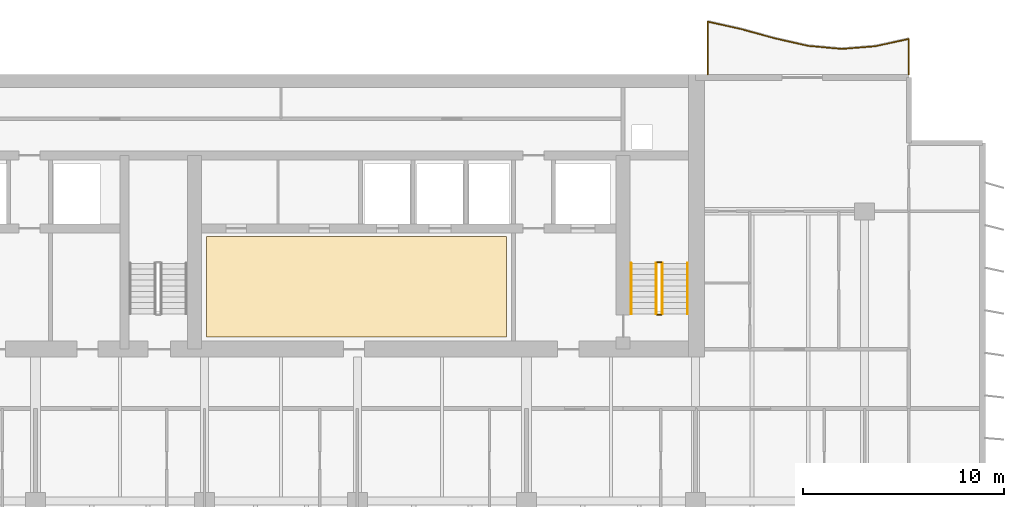
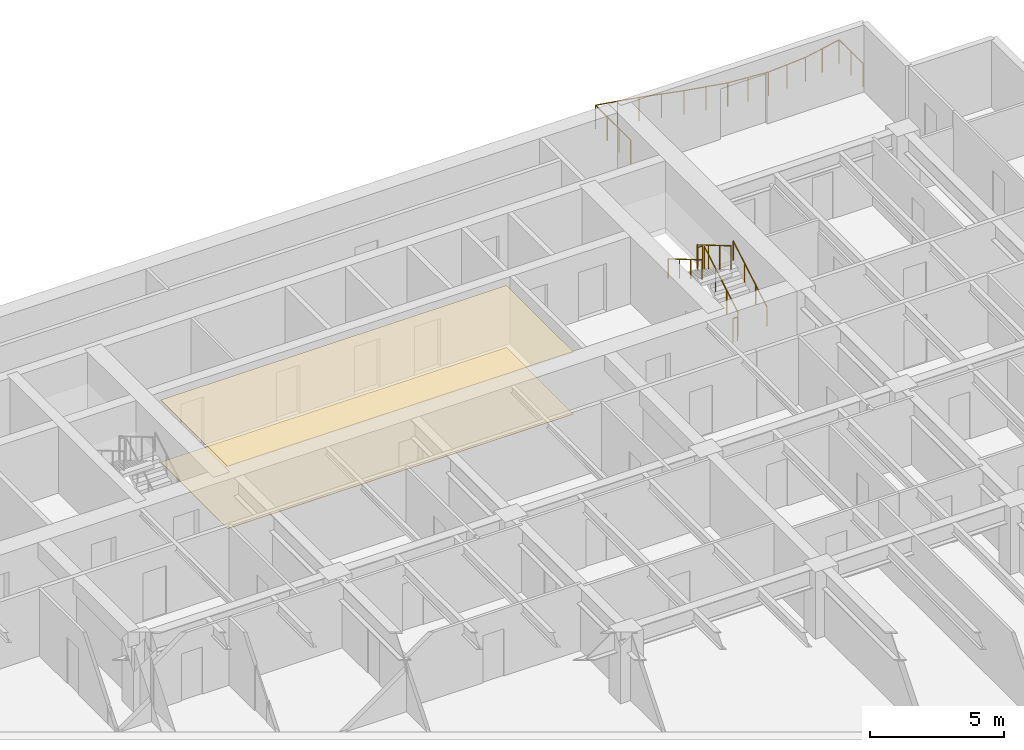
# One storey, part 14 of 15: 7 railings, 2 coverings.
"""IFC4 building model written with IfcOpenShell, lengths in metres."""

from ifc_helpers import new_model, si_unit, direction, frame, origin, origin_2d, place, context, subcontext, project, spatial, polyline, circle, outline, extrude, material, layer, layer_set, type_object, element, save


model = new_model("IFC4")

# Units and contexts
model_context = context("Model", 3, precision=1e-05, world=origin(), true_north=direction((0.0, 1.0)))
body_context = subcontext(model_context, "Body", "Model", "MODEL_VIEW")
ifc_project = project(units=[si_unit("LENGTHUNIT", "METRE"), si_unit("AREAUNIT", "SQUARE_METRE"), si_unit("VOLUMEUNIT", "CUBIC_METRE"), si_unit("PLANEANGLEUNIT", "RADIAN"), si_unit("MASSUNIT", "GRAM", prefix="KILO")], contexts=[model_context])

# Site, building, storey
site_placement = place(None, origin())
site = spatial("IfcSite", under=ifc_project, at=site_placement, CompositionType="ELEMENT")
building_placement = place(site_placement, origin())
building = spatial("IfcBuilding", under=site, at=building_placement, Name="Caelmar Bay Residences", CompositionType="ELEMENT")
storey_placement = place(building_placement, frame((0.0, 0.0, 132.300048828125)))
storey = spatial("IfcBuildingStorey", under=building, at=storey_placement, Name="L36", CompositionType="ELEMENT", Elevation=132.300048828125)

# Coverings
ifc_material_1 = material(Name="Perforated acoustic gypsum-mineral ceiling tile 20 mm")
ifc_layer_1 = layer(ifc_material_1, 0.02001953125)
ifc_layer_set_1 = layer_set([ifc_layer_1], Name="Perforated acoustic gypsum-mineral ceiling tile 20 mm")
covering_type_1 = type_object("IfcCoveringType", Name="COV-CEIL-20", PredefinedType="CEILING", material=ifc_layer_set_1)
covering_1_placement = place(storey_placement, frame((0.0, 0.0, 2.829833984375)))
element("IfcCovering", 1, at=covering_1_placement, inside=storey, type_object=covering_type_1, Name="L36 Lift Lobby Acoustic Ceiling", PredefinedType="CEILING", context=body_context, shape_type="SweptSolid", body=[
    extrude(outline(polyline([(35.199951171875, 37.550048828125), (50.10009765625, 37.550048828125), (50.10009765625, 42.550048828125), (35.199951171875, 42.550048828125), (35.199951171875, 37.550048828125)])), origin(), (0.0, 0.0, 1.0), 0.02001953125),
])
ifc_material_2 = material(Name="Honed terrazzo and engineered white-oak flooring 20 mm")
ifc_layer_2 = layer(ifc_material_2, 0.02001953125)
ifc_layer_set_2 = layer_set([ifc_layer_2], Name="Honed terrazzo and engineered white-oak flooring 20 mm")
covering_type_2 = type_object("IfcCoveringType", Name="COV-FLR-20", PredefinedType="FLOORING", material=ifc_layer_set_2)
covering_2_placement = place(storey_placement, origin())
element("IfcCovering", 2, at=covering_2_placement, inside=storey, type_object=covering_type_2, Name="L36 Lift Lobby Terrazzo Flooring", PredefinedType="FLOORING", context=body_context, shape_type="SweptSolid", body=[
    extrude(outline(polyline([(35.199951171875, 37.550048828125), (50.10009765625, 37.550048828125), (50.10009765625, 42.550048828125), (35.199951171875, 42.550048828125), (35.199951171875, 37.550048828125)])), origin(), (0.0, 0.0, 1.0), 0.02001953125),
])

# Railings
ifc_material_3 = material(Name="Anodised bronze handrail with laminated hurricane glass infill", Category="glass")
railing_type_1 = type_object("IfcRailingType", Name="RL-BAL-1100", PredefinedType="BALUSTRADE", material=ifc_material_3)
railing_1_placement = place(storey_placement, frame((70.10009765625, 50.60009765625, 0.0)))
element("IfcRailing", 3, at=railing_1_placement, inside=storey, type_object=railing_type_1, Name="L36 north_east Balcony Balustrade", PredefinedType="BALUSTRADE", context=body_context, shape_type="SweptSolid", body=[
    extrude(circle(Radius=0.02392578125, at=origin_2d()), frame((0.0, 0.0, 1.076171875), z_axis=(0.0, 1.0, 0.0), x_axis=(-1.0, 0.0, 0.0)), (0.0, 0.0, 1.0), 1.766845703125),
    extrude(circle(Radius=0.02392578125, at=origin_2d()), frame((0.0, 1.766845703125, 1.076171875), z_axis=(-0.976912151589, -0.213641400663, 0.0), x_axis=(0.213641400663, -0.976912151589, 0.0)), (0.0, 0.0, 1.0), 1.7060546875),
    extrude(circle(Radius=0.02392578125, at=origin_2d()), frame((-1.666748046875, 1.40234375, 1.076171875), z_axis=(-0.996863381494, -0.079141636556, 0.0), x_axis=(0.079141636556, -0.996863381494, 0.0)), (0.0, 0.0, 1.0), 1.671875),
    extrude(circle(Radius=0.02392578125, at=origin_2d()), frame((-3.33349609375, 1.27001953125, 1.076171875), z_axis=(-0.995978866586, 0.089588488732, 0.0), x_axis=(-0.089588488732, -0.995978866586, 0.0)), (0.0, 0.0, 1.0), 1.67333984375),
    extrude(circle(Radius=0.02392578125, at=origin_2d()), frame((-5.0, 1.419921875, 1.076171875), z_axis=(-0.975550811442, 0.219774007324, 0.0), x_axis=(-0.219774007324, -0.975550811442, 0.0)), (0.0, 0.0, 1.0), 1.70849609375),
    extrude(circle(Radius=0.02392578125, at=origin_2d()), frame((-6.666748046875, 1.79541015625, 1.076171875), z_axis=(-0.964003851304, 0.265888274792, 0.0), x_axis=(-0.265888274792, -0.964003851304, 0.0)), (0.0, 0.0, 1.0), 1.72900390625),
    extrude(circle(Radius=0.02392578125, at=origin_2d()), frame((-8.33349609375, 2.255126953125, 1.076171875), z_axis=(-0.976032048917, 0.217626835402, 0.0), x_axis=(-0.217626835402, -0.976032048917, 0.0)), (0.0, 0.0, 1.0), 1.70751953125),
    extrude(circle(Radius=0.02392578125, at=origin_2d()), frame((-10.0, 2.626708984375, 1.076171875), z_axis=(0.0, -1.0, 0.0), x_axis=(1.0, 0.0, 0.0)), (0.0, 0.0, 1.0), 2.626708984375),
    extrude(circle(Radius=0.02099609375, at=origin_2d()), origin(), (0.0, 0.0, 1.0), 1.052001953125),
    extrude(circle(Radius=0.02099609375, at=origin_2d()), frame((0.0, 0.88330078125, 0.0)), (0.0, 0.0, 1.0), 1.052001953125),
    extrude(circle(Radius=0.02099609375, at=origin_2d()), frame((0.0, 1.766845703125, 0.0)), (0.0, 0.0, 1.0), 1.052001953125),
    extrude(circle(Radius=0.02099609375, at=origin_2d()), frame((-0.83349609375, 1.58447265625, 0.0)), (0.0, 0.0, 1.0), 1.052001953125),
    extrude(circle(Radius=0.02099609375, at=origin_2d()), frame((-1.666748046875, 1.40234375, 0.0)), (0.0, 0.0, 1.0), 1.052001953125),
    extrude(circle(Radius=0.02099609375, at=origin_2d()), frame((-2.5, 1.336181640625, 0.0)), (0.0, 0.0, 1.0), 1.052001953125),
    extrude(circle(Radius=0.02099609375, at=origin_2d()), frame((-3.33349609375, 1.27001953125, 0.0)), (0.0, 0.0, 1.0), 1.052001953125),
    extrude(circle(Radius=0.02099609375, at=origin_2d()), frame((-4.166748046875, 1.344970703125, 0.0)), (0.0, 0.0, 1.0), 1.052001953125),
    extrude(circle(Radius=0.02099609375, at=origin_2d()), frame((-5.0, 1.419921875, 0.0)), (0.0, 0.0, 1.0), 1.052001953125),
    extrude(circle(Radius=0.02099609375, at=origin_2d()), frame((-5.83349609375, 1.607666015625, 0.0)), (0.0, 0.0, 1.0), 1.052001953125),
    extrude(circle(Radius=0.02099609375, at=origin_2d()), frame((-6.666748046875, 1.79541015625, 0.0)), (0.0, 0.0, 1.0), 1.052001953125),
    extrude(circle(Radius=0.02099609375, at=origin_2d()), frame((-7.5, 2.025390625, 0.0)), (0.0, 0.0, 1.0), 1.052001953125),
    extrude(circle(Radius=0.02099609375, at=origin_2d()), frame((-8.33349609375, 2.255126953125, 0.0)), (0.0, 0.0, 1.0), 1.052001953125),
    extrude(circle(Radius=0.02099609375, at=origin_2d()), frame((-9.166748046875, 2.44091796875, 0.0)), (0.0, 0.0, 1.0), 1.052001953125),
    extrude(circle(Radius=0.02099609375, at=origin_2d()), frame((-10.0, 2.626708984375, 0.0)), (0.0, 0.0, 1.0), 1.052001953125),
    extrude(circle(Radius=0.02099609375, at=origin_2d()), frame((-10.0, 1.751220703125, 0.0)), (0.0, 0.0, 1.0), 1.052001953125),
    extrude(circle(Radius=0.02099609375, at=origin_2d()), frame((-10.0, 0.87548828125, 0.0)), (0.0, 0.0, 1.0), 1.052001953125),
    extrude(circle(Radius=0.02099609375, at=origin_2d()), frame((-10.0, 0.0, 0.0)), (0.0, 0.0, 1.0), 1.052001953125),
])
ifc_material_4 = material(Name="Painted galvanized steel stair guard 1100 mm", Category="steel")
railing_type_2 = type_object("IfcRailingType", Name="RL-GRD-1100", PredefinedType="GUARDRAIL", material=ifc_material_4)
railing_2_placement = place(storey_placement, frame((57.85009765625, 38.699951171875, 0.1650390625)))
element("IfcRailing", 4, at=railing_2_placement, inside=storey, type_object=railing_type_2, Name="L36 ST2 stair guard 1", PredefinedType="GUARDRAIL", context=body_context, shape_type="SweptSolid", body=[
    extrude(circle(Radius=0.02392578125, at=origin_2d()), frame((0.0, 0.0, 1.076171875), z_axis=(0.0, 0.861560626758, 0.507654692109), x_axis=(-1.0, 0.0, 0.0)), (0.0, 0.0, 1.0), 2.925048828125),
    extrude(circle(Radius=0.02099609375, at=origin_2d()), origin(), (0.0, 0.0, 1.0), 1.052001953125),
    extrude(circle(Radius=0.02099609375, at=origin_2d()), frame((0.0, 0.840087890625, 0.494873046875)), (0.0, 0.0, 1.0), 1.052001953125),
    extrude(circle(Radius=0.02099609375, at=origin_2d()), frame((0.0, 1.679931640625, 0.989990234375)), (0.0, 0.0, 1.0), 1.052001953125),
    extrude(circle(Radius=0.02099609375, at=origin_2d()), frame((0.0, 2.52001953125, 1.48486328125)), (0.0, 0.0, 1.0), 1.052001953125),
])
railing_3_placement = place(storey_placement, frame((57.800048828125, 41.27001953125, 1.64990234375)))
element("IfcRailing", 5, at=railing_3_placement, inside=storey, type_object=railing_type_2, Name="L36 ST2 stair guard 2", PredefinedType="GUARDRAIL", context=body_context, shape_type="SweptSolid", body=[
    extrude(circle(Radius=0.02392578125, at=origin_2d()), frame((0.0, 0.0, 1.076171875), z_axis=(-1.0, 0.0, 0.0), x_axis=(0.0, -1.0, 0.0)), (0.0, 0.0, 1.0), 0.199951171875),
    extrude(circle(Radius=0.02099609375, at=origin_2d()), origin(), (0.0, 0.0, 1.0), 1.052001953125),
    extrude(circle(Radius=0.02099609375, at=origin_2d()), frame((-0.199951171875, 0.0, 0.0)), (0.0, 0.0, 1.0), 1.052001953125),
])
railing_4_placement = place(storey_placement, frame((57.550048828125, 41.219970703125, 1.81494140625)))
element("IfcRailing", 6, at=railing_4_placement, inside=storey, type_object=railing_type_2, Name="L36 ST2 stair guard 3", PredefinedType="GUARDRAIL", context=body_context, shape_type="SweptSolid", body=[
    extrude(circle(Radius=0.02392578125, at=origin_2d()), frame((0.0, 0.0, 1.076171875), z_axis=(0.0, -0.86152411907, 0.507716645641), x_axis=(1.0, 0.0, 0.0)), (0.0, 0.0, 1.0), 2.925048828125),
    extrude(circle(Radius=0.02099609375, at=origin_2d()), origin(), (0.0, 0.0, 1.0), 1.052001953125),
    extrude(circle(Radius=0.02099609375, at=origin_2d()), frame((0.0, -0.840087890625, 0.4951171875)), (0.0, 0.0, 1.0), 1.052001953125),
    extrude(circle(Radius=0.02099609375, at=origin_2d()), frame((0.0, -1.679931640625, 0.989990234375)), (0.0, 0.0, 1.0), 1.052001953125),
    extrude(circle(Radius=0.02099609375, at=origin_2d()), frame((0.0, -2.52001953125, 1.485107421875)), (0.0, 0.0, 1.0), 1.052001953125),
])
railing_5_placement = place(storey_placement, frame((57.800048828125, 38.64990234375, 0.0)))
element("IfcRailing", 7, at=railing_5_placement, inside=storey, type_object=railing_type_2, Name="L36 ST2 stair guard 4", PredefinedType="GUARDRAIL", context=body_context, shape_type="SweptSolid", body=[
    extrude(circle(Radius=0.02392578125, at=origin_2d()), frame((0.0, 0.0, 1.076171875), z_axis=(-1.0, 0.0, 0.0), x_axis=(0.0, -1.0, 0.0)), (0.0, 0.0, 1.0), 0.199951171875),
    extrude(circle(Radius=0.02099609375, at=origin_2d()), origin(), (0.0, 0.0, 1.0), 1.052001953125),
    extrude(circle(Radius=0.02099609375, at=origin_2d()), frame((-0.199951171875, 0.0, 0.0)), (0.0, 0.0, 1.0), 1.052001953125),
])
ifc_material_5 = material(Name="Brushed bronze stainless-steel tubular handrail 900 mm", Category="steel")
railing_type_3 = type_object("IfcRailingType", Name="RL-HND-900", PredefinedType="HANDRAIL", material=ifc_material_5)
railing_6_placement = place(storey_placement, frame((59.10009765625, 38.699951171875, 0.1650390625)))
element("IfcRailing", 8, at=railing_6_placement, inside=storey, type_object=railing_type_3, Name="L36 ST2 stair handrail 1", PredefinedType="HANDRAIL", context=body_context, shape_type="SweptSolid", body=[
    extrude(circle(Radius=0.02392578125, at=origin_2d()), frame((0.0, 0.0, 0.8759765625), z_axis=(0.0, 0.861560626758, 0.507654692109), x_axis=(-1.0, 0.0, 0.0)), (0.0, 0.0, 1.0), 2.925048828125),
    extrude(circle(Radius=0.02099609375, at=origin_2d()), origin(), (0.0, 0.0, 1.0), 0.851806640625),
    extrude(circle(Radius=0.02099609375, at=origin_2d()), frame((0.0, 0.840087890625, 0.494873046875)), (0.0, 0.0, 1.0), 0.851806640625),
    extrude(circle(Radius=0.02099609375, at=origin_2d()), frame((0.0, 1.679931640625, 0.989990234375)), (0.0, 0.0, 1.0), 0.851806640625),
    extrude(circle(Radius=0.02099609375, at=origin_2d()), frame((0.0, 2.52001953125, 1.48486328125)), (0.0, 0.0, 1.0), 0.851806640625),
])
railing_7_placement = place(storey_placement, frame((56.300048828125, 41.219970703125, 1.81494140625)))
element("IfcRailing", 9, at=railing_7_placement, inside=storey, type_object=railing_type_3, Name="L36 ST2 stair handrail 2", PredefinedType="HANDRAIL", context=body_context, shape_type="SweptSolid", body=[
    extrude(circle(Radius=0.02392578125, at=origin_2d()), frame((0.0, 0.0, 0.8759765625), z_axis=(0.0, -0.86152411907, 0.507716645641), x_axis=(1.0, 0.0, 0.0)), (0.0, 0.0, 1.0), 2.925048828125),
    extrude(circle(Radius=0.02099609375, at=origin_2d()), origin(), (0.0, 0.0, 1.0), 0.851806640625),
    extrude(circle(Radius=0.02099609375, at=origin_2d()), frame((0.0, -0.840087890625, 0.4951171875)), (0.0, 0.0, 1.0), 0.851806640625),
    extrude(circle(Radius=0.02099609375, at=origin_2d()), frame((0.0, -1.679931640625, 0.989990234375)), (0.0, 0.0, 1.0), 0.851806640625),
    extrude(circle(Radius=0.02099609375, at=origin_2d()), frame((0.0, -2.52001953125, 1.485107421875)), (0.0, 0.0, 1.0), 0.851806640625),
])

save(model, "model.ifc")
